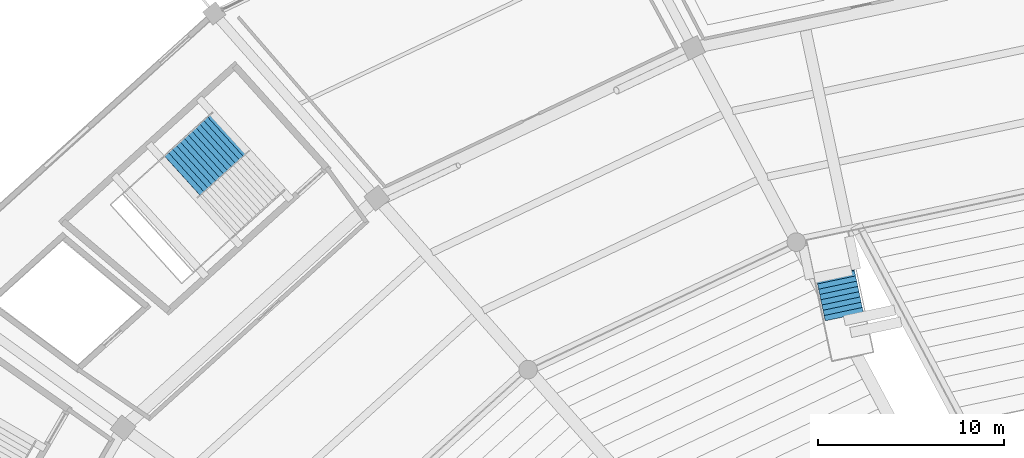
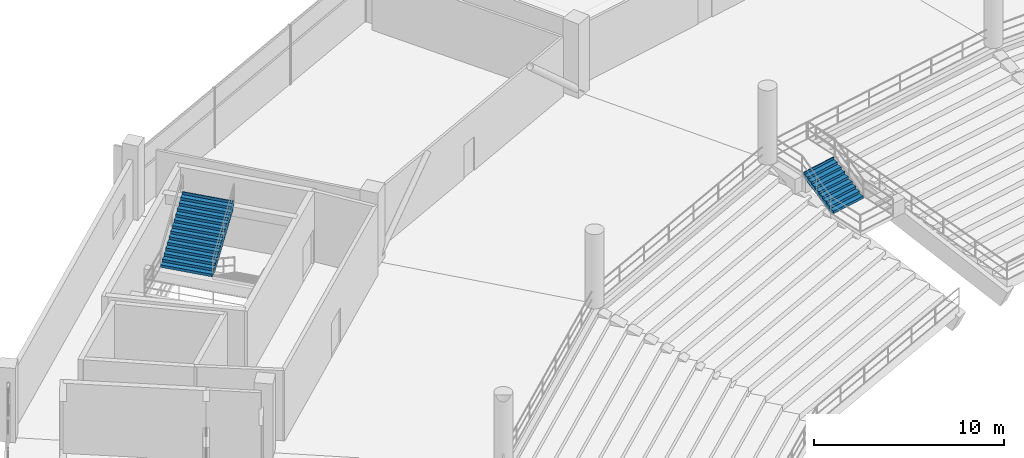
# One storey, part 135 of 156: 2 stair flights, 2 elements without a shape of their own.
"""IFC4 building model written with IfcOpenShell, lengths in metres."""

import ifcopenshell
import ifcopenshell.guid

model = None  # the IFC model being written
_history = None  # IfcOwnerHistory: only IFC2X3 demands one
_inside = {}  # id of a spatial element -> (the spatial element, [elements in it])
_under = {}  # id of a project, library or spatial element -> (it, [spatial elements below it])
_declared = {}  # id of a project -> (the project, [libraries it declares])
_typed = {}  # id of a type object -> (the type object, [elements of that type])
_made_of = {}  # id of a material, layer set ... -> (it, [elements and type objects made of it])


def new_model(schema):
    """Start an empty IFC model of exactly this schema.

    Asked for "IFC4X3", IfcOpenShell would pick the latest addendum, in which some entities
    have other attributes; the version numbers below select the first issue.
    IFC2X3 requires an IfcOwnerHistory on every rooted entity: one is made here for all.
    """
    global model, _history
    if schema == "IFC4X3":
        model = ifcopenshell.file(schema_version=(4, 3, 0, 0))
    else:
        model = ifcopenshell.file(schema=schema)
    _inside.clear()
    _under.clear()
    _declared.clear()
    _typed.clear()
    _made_of.clear()
    _history = None
    if model.schema == "IFC2X3":
        org = make("IfcOrganization", Name="unknown")
        user = make(
            "IfcPersonAndOrganization",
            ThePerson=make("IfcPerson", FamilyName="unknown"),
            TheOrganization=org,
        )
        app = make(
            "IfcApplication",
            ApplicationDeveloper=org,
            Version="unknown",
            ApplicationFullName="unknown",
            ApplicationIdentifier="unknown",
        )
        _history = make(
            "IfcOwnerHistory",
            OwningUser=user,
            OwningApplication=app,
            ChangeAction="ADDED",
            CreationDate=0,
        )
    return model


def make(cls, **values):
    """One entity of the class cls with the attributes given. An attribute that is None is left unset."""
    return model.create_entity(
        cls, **{name: value for name, value in values.items() if value is not None}
    )


def rooted(cls, **values):
    """An entity with a GlobalId (a new one), such as an element, a storey or a relation."""
    return make(cls, GlobalId=ifcopenshell.guid.new(), OwnerHistory=_history, **values)


def si_unit(unit_type, name, prefix=None):
    """IfcSIUnit, for example si_unit("LENGTHUNIT", "METRE", prefix="MILLI")."""
    return make("IfcSIUnit", UnitType=unit_type, Prefix=prefix, Name=name)


def assignment(units):
    """IfcUnitAssignment: the units of a project."""
    return None if units is None else make("IfcUnitAssignment", Units=units)


def point(xyz):
    """IfcCartesianPoint."""
    return None if xyz is None else make("IfcCartesianPoint", Coordinates=xyz)


def direction(xyz):
    """IfcDirection."""
    return None if xyz is None else make("IfcDirection", DirectionRatios=xyz)


def frame(location, z_axis=None, x_axis=None):
    """IfcAxis2Placement3D, a coordinate frame: its origin and axes. An axis left out is left unset."""
    return make(
        "IfcAxis2Placement3D",
        Location=point(location),
        Axis=direction(z_axis),
        RefDirection=direction(x_axis),
    )


def origin():
    """The frame at (0, 0, 0) with its axes left unset."""
    return frame((0.0, 0.0, 0.0))


def place(relative_to, where):
    """IfcLocalPlacement: puts the frame where relative to a parent placement (None: the world)."""
    return make(
        "IfcLocalPlacement", PlacementRelTo=relative_to, RelativePlacement=where
    )


def context(
    kind, dimensions, precision=None, world=None, true_north=None, identifier=None
):
    """IfcGeometricRepresentationContext, for example the 3D "Model" context."""
    return make(
        "IfcGeometricRepresentationContext",
        ContextIdentifier=identifier,
        ContextType=kind,
        CoordinateSpaceDimension=dimensions,
        Precision=precision,
        WorldCoordinateSystem=world,
        TrueNorth=true_north,
    )


def subcontext(parent, identifier, kind, view, scale=None):
    """IfcGeometricRepresentationSubContext, for example "Body" below "Model"."""
    return make(
        "IfcGeometricRepresentationSubContext",
        ContextIdentifier=identifier,
        ContextType=kind,
        ParentContext=parent,
        TargetScale=scale,
        TargetView=view,
    )


def project(units=None, contexts=None):
    """IfcProject with its units and contexts."""
    return rooted(
        "IfcProject",
        Name="project",
        RepresentationContexts=contexts,
        UnitsInContext=assignment(units),
    )


def spatial(cls, under=None, at=None, **own):
    """A site, building, storey or space (cls), placed at a placement, below another one or the project."""
    s = rooted(cls, ObjectPlacement=at, **own)
    if under is not None:
        _under.setdefault(under.id(), (under, []))[1].append(s)
    return s


def point_list(points):
    """IfcCartesianPointList2D or 3D."""
    cls = (
        "IfcCartesianPointList2D" if len(points[0]) == 2 else "IfcCartesianPointList3D"
    )
    return make(cls, CoordList=points)


def polygons(points, faces, closed=None, point_numbers=None):
    """IfcPolygonalFaceSet: a face is its outer loop, then its inner loops; points numbered from 1."""
    made = []
    for loops in faces:
        if len(loops) == 1:
            made.append(make("IfcIndexedPolygonalFace", CoordIndex=loops[0]))
        else:
            made.append(
                make(
                    "IfcIndexedPolygonalFaceWithVoids",
                    CoordIndex=loops[0],
                    InnerCoordIndices=loops[1:],
                )
            )
    return make(
        "IfcPolygonalFaceSet",
        Coordinates=point_list(points),
        Closed=closed,
        Faces=made,
        PnIndex=point_numbers,
    )


def shape(context_of_items, identifier, shape_type, items):
    """IfcShapeRepresentation: the items that make up one representation, for example the "Body"."""
    return make(
        "IfcShapeRepresentation",
        ContextOfItems=context_of_items,
        RepresentationIdentifier=identifier,
        RepresentationType=shape_type,
        Items=items,
    )


def material(Name=None, Category=None):
    """IfcMaterial."""
    return make("IfcMaterial", Name=Name, Category=Category)


def made_of(thing, what):
    """Note that an element or type object is made of a material, layer set ...; save() writes the relation."""
    if what is not None:
        _made_of.setdefault(what.id(), (what, []))[1].append(thing)
    return thing


def type_object(cls, material=None, **own):
    """A type object (cls), such as IfcWallType, which elements share."""
    return made_of(rooted(cls, **own), material)


def element(
    cls,
    number,
    at=None,
    inside=None,
    cuts=None,
    type_object=None,
    material=None,
    context=None,
    identifier="Body",
    shape_type=None,
    held_by="IfcProductDefinitionShape",
    body=None,
    shapes=None,
    **own,
):
    """One element of the class cls, such as IfcWall. Its Tag is "e" and its number.

    at: its placement. inside: the storey or other place that contains it. cuts: it is an
    opening in that element (IfcRelVoidsElement). A single representation is given by context,
    identifier, shape_type and body (its items); several are given by shapes. held_by: the class
    of the entity that holds the representations. save() writes the other relations.
    """
    e = rooted(cls, Tag="e%d" % number, ObjectPlacement=at, **own)
    if body is not None:
        shapes = [shape(context, identifier, shape_type, body)]
    if shapes is not None:
        e.Representation = make(held_by, Representations=shapes)
    if inside is not None:
        _inside.setdefault(inside.id(), (inside, []))[1].append(e)
    if cuts is not None:
        rooted(
            "IfcRelVoidsElement", RelatingBuildingElement=cuts, RelatedOpeningElement=e
        )
    if type_object is not None:
        _typed.setdefault(type_object.id(), (type_object, []))[1].append(e)
    return made_of(e, material)


def aggregate(whole, parts):
    """IfcRelAggregates: a whole, such as a stair, and the parts it consists of."""
    return rooted("IfcRelAggregates", RelatingObject=whole, RelatedObjects=parts)


def save(model, path):
    """Write the relations noted so far, then the file.

    IfcRelAggregates (storeys below a building ...), IfcRelContainedInSpatialStructure (elements
    in a storey), IfcRelDefinesByType, IfcRelAssociatesMaterial and IfcRelDeclares: one each for
    every whole, place, type object, material and project.
    """
    for whole, parts in _under.values():
        aggregate(whole, parts)
    for where, things in _inside.values():
        rooted(
            "IfcRelContainedInSpatialStructure",
            RelatedElements=things,
            RelatingStructure=where,
        )
    for kind, things in _typed.values():
        rooted("IfcRelDefinesByType", RelatedObjects=things, RelatingType=kind)
    for what, things in _made_of.values():
        rooted("IfcRelAssociatesMaterial", RelatedObjects=things, RelatingMaterial=what)
    for by, libraries in _declared.values():
        rooted("IfcRelDeclares", RelatingContext=by, RelatedDefinitions=libraries)
    model.write(path)


model = new_model("IFC4")

# Units and contexts
model_context = context("Model", 3, precision=1e-05, world=origin(), true_north=direction((0.0, 1.0)))
body_context = subcontext(model_context, "Body", "Model", "MODEL_VIEW")
ifc_project = project(units=[si_unit("LENGTHUNIT", "METRE"), si_unit("AREAUNIT", "SQUARE_METRE"), si_unit("VOLUMEUNIT", "CUBIC_METRE"), si_unit("PLANEANGLEUNIT", "RADIAN"), si_unit("MASSUNIT", "GRAM", prefix="KILO")], contexts=[model_context])

# Site, building, storey
site_placement = place(None, origin())
site = spatial("IfcSite", under=ifc_project, at=site_placement, CompositionType="ELEMENT")
building_placement = place(site_placement, origin())
building = spatial("IfcBuilding", under=site, at=building_placement, Name="Kazemori Nagisa Stadium", CompositionType="ELEMENT")
storey_placement = place(building_placement, frame((0.0, 0.0, 5.780029296875)))
storey = spatial("IfcBuildingStorey", under=building, at=storey_placement, Name="L01", CompositionType="ELEMENT", Elevation=5.780029296875)

# Stair, stair flight
ifc_material = material(Name="Concrete C36/45 (Fc36)", Category="concrete")
stair_type_1 = type_object("IfcStairType", Name="Stair_CORE_28", PredefinedType="TWO_STRAIGHT_RUN_STAIR", material=ifc_material)
stair_1_placement = place(storey_placement, origin())
stair_1 = element("IfcStair", 1, at=stair_1_placement, inside=storey, type_object=stair_type_1, Name="Exit stair ST02 L01", PredefinedType="TWO_STRAIGHT_RUN_STAIR")
stair_flight_type_1 = type_object("IfcStairFlightType", Name="Flight_CORE_14", PredefinedType="STRAIGHT", material=ifc_material)
stair_flight_1_placement = place(storey_placement, frame((58.468505859375, 164.128662109375, 2.3798828125), z_axis=(0.0, 0.0, 1.0), x_axis=(0.741324991793, 0.671146225903, 0.0)))
stair_flight_1 = element("IfcStairFlight", 2, at=stair_flight_1_placement, type_object=stair_flight_type_1, Name="Exit stair ST02 L01 flight 2", NumberOfRisers=14, NumberOfTreads=13, PredefinedType="STRAIGHT", RiserHeight=0.17, TreadLength=0.285, context=body_context, shape_type="Tessellation", body=[
    polygons([(0.0, -1.425048828125, 0.0), (0.0, -1.425048828125, 0.169921875), (0.284912109375, -1.425048828125, 0.169921875), (0.284912109375, -1.425048828125, 0.340087890625), (0.570068359375, -1.425048828125, 0.340087890625), (0.570068359375, -1.425048828125, 0.510009765625), (0.85498046875, -1.425048828125, 0.510009765625), (0.85498046875, -1.425048828125, 0.679931640625), (1.139892578125, -1.425048828125, 0.679931640625), (1.139892578125, -1.425048828125, 0.85009765625), (1.425048828125, -1.425048828125, 0.85009765625), (1.425048828125, -1.425048828125, 1.02001953125), (1.7099609375, -1.425048828125, 1.02001953125), (1.7099609375, -1.425048828125, 1.18994140625), (1.9951171875, -1.425048828125, 1.18994140625), (1.9951171875, -1.425048828125, 1.360107421875), (2.280029296875, -1.425048828125, 1.360107421875), (2.280029296875, -1.425048828125, 1.530029296875), (2.56494140625, -1.425048828125, 1.530029296875), (2.56494140625, -1.425048828125, 1.699951171875), (2.85009765625, -1.425048828125, 1.699951171875), (2.85009765625, -1.425048828125, 1.8701171875), (3.135009765625, -1.425048828125, 1.8701171875), (3.135009765625, -1.425048828125, 2.0400390625), (3.419921875, -1.425048828125, 2.0400390625), (3.419921875, -1.425048828125, 2.2099609375), (3.705078125, -1.425048828125, 2.2099609375), (3.705078125, -1.425048828125, 2.3798828125), (3.7548828125, -1.425048828125, 2.3798828125), (3.7548828125, -1.425048828125, 2.007080078125), (3.705078125, -1.425048828125, 1.977294921875), (3.419921875, -1.425048828125, 1.80712890625), (3.135009765625, -1.425048828125, 1.63720703125), (2.85009765625, -1.425048828125, 1.46728515625), (2.56494140625, -1.425048828125, 1.297119140625), (2.280029296875, -1.425048828125, 1.127197265625), (1.9951171875, -1.425048828125, 0.957275390625), (1.7099609375, -1.425048828125, 0.787109375), (1.425048828125, -1.425048828125, 0.6171875), (1.139892578125, -1.425048828125, 0.447265625), (0.85498046875, -1.425048828125, 0.277099609375), (0.570068359375, -1.425048828125, 0.107177734375), (0.284912109375, -1.425048828125, 0.0), (0.0, -0.08544921875, 0.0), (0.0, -0.08544921875, 0.169921875), (0.284912109375, -0.08544921875, 0.169921875), (0.284912109375, -0.08544921875, 0.340087890625), (0.570068359375, -0.08544921875, 0.340087890625), (0.570068359375, -0.08544921875, 0.510009765625), (0.85498046875, -0.08544921875, 0.510009765625), (0.85498046875, -0.08544921875, 0.679931640625), (1.139892578125, -0.08544921875, 0.679931640625), (1.139892578125, -0.08544921875, 0.85009765625), (1.425048828125, -0.08544921875, 0.85009765625), (1.425048828125, -0.08544921875, 1.02001953125), (1.7099609375, -0.08544921875, 1.02001953125), (1.7099609375, -0.08544921875, 1.18994140625), (1.9951171875, -0.08544921875, 1.18994140625), (1.9951171875, -0.08544921875, 1.360107421875), (2.280029296875, -0.08544921875, 1.360107421875), (2.280029296875, -0.08544921875, 1.530029296875), (2.56494140625, -0.08544921875, 1.530029296875), (2.56494140625, -0.08544921875, 1.699951171875), (2.85009765625, -0.08544921875, 1.699951171875), (2.85009765625, -0.08544921875, 1.8701171875), (3.135009765625, -0.08544921875, 1.8701171875), (3.135009765625, -0.08544921875, 2.0400390625), (3.419921875, -0.08544921875, 2.0400390625), (3.419921875, -0.08544921875, 2.2099609375), (3.705078125, -0.08544921875, 2.2099609375), (3.705078125, -0.08544921875, 2.3798828125), (3.7548828125, -0.08544921875, 2.3798828125), (3.7548828125, -0.08544921875, 2.007080078125), (3.705078125, -0.08544921875, 1.977294921875), (3.419921875, -0.08544921875, 1.80712890625), (3.135009765625, -0.08544921875, 1.63720703125), (2.85009765625, -0.08544921875, 1.46728515625), (2.56494140625, -0.08544921875, 1.297119140625), (2.280029296875, -0.08544921875, 1.127197265625), (1.9951171875, -0.08544921875, 0.957275390625), (1.7099609375, -0.08544921875, 0.787109375), (1.425048828125, -0.08544921875, 0.6171875), (1.139892578125, -0.08544921875, 0.447265625), (0.85498046875, -0.08544921875, 0.277099609375), (0.570068359375, -0.08544921875, 0.107177734375), (0.284912109375, -0.08544921875, 0.0), (0.0, 0.0, 0.0), (0.0, 0.0, 0.169921875), (0.284912109375, 0.0, 0.169921875), (0.284912109375, 0.0, 0.340087890625), (0.570068359375, 0.0, 0.340087890625), (0.570068359375, 0.0, 0.510009765625), (0.85498046875, 0.0, 0.510009765625), (0.85498046875, 0.0, 0.679931640625), (1.139892578125, 0.0, 0.679931640625), (1.139892578125, 0.0, 0.85009765625), (1.425048828125, 0.0, 0.85009765625), (1.425048828125, 0.0, 1.02001953125), (1.7099609375, 0.0, 1.02001953125), (1.7099609375, 0.0, 1.18994140625), (1.9951171875, 0.0, 1.18994140625), (1.9951171875, 0.0, 1.360107421875), (2.280029296875, 0.0, 1.360107421875), (2.280029296875, 0.0, 1.530029296875), (2.56494140625, 0.0, 1.530029296875), (2.56494140625, 0.0, 1.699951171875), (2.85009765625, 0.0, 1.699951171875), (2.85009765625, 0.0, 1.8701171875), (3.135009765625, 0.0, 1.8701171875), (3.135009765625, 0.0, 2.0400390625), (3.419921875, 0.0, 2.0400390625), (3.419921875, 0.0, 2.2099609375), (3.705078125, 0.0, 2.2099609375), (3.705078125, 0.0, 2.3798828125), (3.7548828125, 0.0, 2.3798828125), (3.7548828125, 0.0, 2.007080078125), (3.705078125, 0.0, 1.977294921875), (3.419921875, 0.0, 1.80712890625), (3.135009765625, 0.0, 1.63720703125), (2.85009765625, 0.0, 1.46728515625), (2.56494140625, 0.0, 1.297119140625), (2.280029296875, 0.0, 1.127197265625), (1.9951171875, 0.0, 0.957275390625), (1.7099609375, 0.0, 0.787109375), (1.425048828125, 0.0, 0.6171875), (1.139892578125, 0.0, 0.447265625), (0.85498046875, 0.0, 0.277099609375), (0.570068359375, 0.0, 0.107177734375), (0.284912109375, 0.0, 0.0), (0.0, 0.08544921875, 0.0), (0.0, 0.08544921875, 0.169921875), (0.284912109375, 0.08544921875, 0.169921875), (0.284912109375, 0.08544921875, 0.340087890625), (0.570068359375, 0.08544921875, 0.340087890625), (0.570068359375, 0.08544921875, 0.510009765625), (0.85498046875, 0.08544921875, 0.510009765625), (0.85498046875, 0.08544921875, 0.679931640625), (1.139892578125, 0.08544921875, 0.679931640625), (1.139892578125, 0.08544921875, 0.85009765625), (1.425048828125, 0.08544921875, 0.85009765625), (1.425048828125, 0.08544921875, 1.02001953125), (1.7099609375, 0.08544921875, 1.02001953125), (1.7099609375, 0.08544921875, 1.18994140625), (1.9951171875, 0.08544921875, 1.18994140625), (1.9951171875, 0.08544921875, 1.360107421875), (2.280029296875, 0.08544921875, 1.360107421875), (2.280029296875, 0.08544921875, 1.530029296875), (2.56494140625, 0.08544921875, 1.530029296875), (2.56494140625, 0.08544921875, 1.699951171875), (2.85009765625, 0.08544921875, 1.699951171875), (2.85009765625, 0.08544921875, 1.8701171875), (3.135009765625, 0.08544921875, 1.8701171875), (3.135009765625, 0.08544921875, 2.0400390625), (3.419921875, 0.08544921875, 2.0400390625), (3.419921875, 0.08544921875, 2.2099609375), (3.705078125, 0.08544921875, 2.2099609375), (3.705078125, 0.08544921875, 2.3798828125), (3.7548828125, 0.08544921875, 2.3798828125), (3.7548828125, 0.08544921875, 2.007080078125), (3.705078125, 0.08544921875, 1.977294921875), (3.419921875, 0.08544921875, 1.80712890625), (3.135009765625, 0.08544921875, 1.63720703125), (2.85009765625, 0.08544921875, 1.46728515625), (2.56494140625, 0.08544921875, 1.297119140625), (2.280029296875, 0.08544921875, 1.127197265625), (1.9951171875, 0.08544921875, 0.957275390625), (1.7099609375, 0.08544921875, 0.787109375), (1.425048828125, 0.08544921875, 0.6171875), (1.139892578125, 0.08544921875, 0.447265625), (0.85498046875, 0.08544921875, 0.277099609375), (0.570068359375, 0.08544921875, 0.107177734375), (0.284912109375, 0.08544921875, 0.0), (0.0, 1.425048828125, 0.0), (0.0, 1.425048828125, 0.169921875), (0.284912109375, 1.425048828125, 0.169921875), (0.284912109375, 1.425048828125, 0.340087890625), (0.570068359375, 1.425048828125, 0.340087890625), (0.570068359375, 1.425048828125, 0.510009765625), (0.85498046875, 1.425048828125, 0.510009765625), (0.85498046875, 1.425048828125, 0.679931640625), (1.139892578125, 1.425048828125, 0.679931640625), (1.139892578125, 1.425048828125, 0.85009765625), (1.425048828125, 1.425048828125, 0.85009765625), (1.425048828125, 1.425048828125, 1.02001953125), (1.7099609375, 1.425048828125, 1.02001953125), (1.7099609375, 1.425048828125, 1.18994140625), (1.9951171875, 1.425048828125, 1.18994140625), (1.9951171875, 1.425048828125, 1.360107421875), (2.280029296875, 1.425048828125, 1.360107421875), (2.280029296875, 1.425048828125, 1.530029296875), (2.56494140625, 1.425048828125, 1.530029296875), (2.56494140625, 1.425048828125, 1.699951171875), (2.85009765625, 1.425048828125, 1.699951171875), (2.85009765625, 1.425048828125, 1.8701171875), (3.135009765625, 1.425048828125, 1.8701171875), (3.135009765625, 1.425048828125, 2.0400390625), (3.419921875, 1.425048828125, 2.0400390625), (3.419921875, 1.425048828125, 2.2099609375), (3.705078125, 1.425048828125, 2.2099609375), (3.705078125, 1.425048828125, 2.3798828125), (3.7548828125, 1.425048828125, 2.3798828125), (3.7548828125, 1.425048828125, 2.007080078125), (3.705078125, 1.425048828125, 1.977294921875), (3.419921875, 1.425048828125, 1.80712890625), (3.135009765625, 1.425048828125, 1.63720703125), (2.85009765625, 1.425048828125, 1.46728515625), (2.56494140625, 1.425048828125, 1.297119140625), (2.280029296875, 1.425048828125, 1.127197265625), (1.9951171875, 1.425048828125, 0.957275390625), (1.7099609375, 1.425048828125, 0.787109375), (1.425048828125, 1.425048828125, 0.6171875), (1.139892578125, 1.425048828125, 0.447265625), (0.85498046875, 1.425048828125, 0.277099609375), (0.570068359375, 1.425048828125, 0.107177734375), (0.284912109375, 1.425048828125, 0.0)], [[[1, 2, 45]], [[1, 45, 44]], [[2, 3, 46]], [[2, 46, 45]], [[3, 4, 47]], [[3, 47, 46]], [[4, 5, 48]], [[4, 48, 47]], [[5, 6, 49]], [[5, 49, 48]], [[6, 7, 50]], [[6, 50, 49]], [[7, 8, 51]], [[7, 51, 50]], [[8, 9, 52]], [[8, 52, 51]], [[9, 10, 53]], [[9, 53, 52]], [[10, 11, 54]], [[10, 54, 53]], [[11, 12, 55]], [[11, 55, 54]], [[12, 13, 56]], [[12, 56, 55]], [[13, 14, 57]], [[13, 57, 56]], [[14, 15, 58]], [[14, 58, 57]], [[15, 16, 59]], [[15, 59, 58]], [[16, 17, 60]], [[16, 60, 59]], [[17, 18, 61]], [[17, 61, 60]], [[18, 19, 62]], [[18, 62, 61]], [[19, 20, 63]], [[19, 63, 62]], [[20, 21, 64]], [[20, 64, 63]], [[21, 22, 65]], [[21, 65, 64]], [[22, 23, 66]], [[22, 66, 65]], [[23, 24, 67]], [[23, 67, 66]], [[24, 25, 68]], [[24, 68, 67]], [[25, 26, 69]], [[25, 69, 68]], [[26, 27, 70]], [[26, 70, 69]], [[27, 28, 71]], [[27, 71, 70]], [[28, 29, 72]], [[28, 72, 71]], [[29, 30, 73]], [[29, 73, 72]], [[30, 31, 74]], [[30, 74, 73]], [[31, 32, 75]], [[31, 75, 74]], [[32, 33, 76]], [[32, 76, 75]], [[33, 34, 77]], [[33, 77, 76]], [[34, 35, 78]], [[34, 78, 77]], [[35, 36, 79]], [[35, 79, 78]], [[36, 37, 80]], [[36, 80, 79]], [[37, 38, 81]], [[37, 81, 80]], [[38, 39, 82]], [[38, 82, 81]], [[39, 40, 83]], [[39, 83, 82]], [[40, 41, 84]], [[40, 84, 83]], [[41, 42, 85]], [[41, 85, 84]], [[42, 43, 86]], [[42, 86, 85]], [[43, 1, 44]], [[43, 44, 86]], [[44, 45, 88]], [[44, 88, 87]], [[45, 46, 89]], [[45, 89, 88]], [[46, 47, 90]], [[46, 90, 89]], [[47, 48, 91]], [[47, 91, 90]], [[48, 49, 92]], [[48, 92, 91]], [[49, 50, 93]], [[49, 93, 92]], [[50, 51, 94]], [[50, 94, 93]], [[51, 52, 95]], [[51, 95, 94]], [[52, 53, 96]], [[52, 96, 95]], [[53, 54, 97]], [[53, 97, 96]], [[54, 55, 98]], [[54, 98, 97]], [[55, 56, 99]], [[55, 99, 98]], [[56, 57, 100]], [[56, 100, 99]], [[57, 58, 101]], [[57, 101, 100]], [[58, 59, 102]], [[58, 102, 101]], [[59, 60, 103]], [[59, 103, 102]], [[60, 61, 104]], [[60, 104, 103]], [[61, 62, 105]], [[61, 105, 104]], [[62, 63, 106]], [[62, 106, 105]], [[63, 64, 107]], [[63, 107, 106]], [[64, 65, 108]], [[64, 108, 107]], [[65, 66, 109]], [[65, 109, 108]], [[66, 67, 110]], [[66, 110, 109]], [[67, 68, 111]], [[67, 111, 110]], [[68, 69, 112]], [[68, 112, 111]], [[69, 70, 113]], [[69, 113, 112]], [[70, 71, 114]], [[70, 114, 113]], [[71, 72, 115]], [[71, 115, 114]], [[72, 73, 116]], [[72, 116, 115]], [[73, 74, 117]], [[73, 117, 116]], [[74, 75, 118]], [[74, 118, 117]], [[75, 76, 119]], [[75, 119, 118]], [[76, 77, 120]], [[76, 120, 119]], [[77, 78, 121]], [[77, 121, 120]], [[78, 79, 122]], [[78, 122, 121]], [[79, 80, 123]], [[79, 123, 122]], [[80, 81, 124]], [[80, 124, 123]], [[81, 82, 125]], [[81, 125, 124]], [[82, 83, 126]], [[82, 126, 125]], [[83, 84, 127]], [[83, 127, 126]], [[84, 85, 128]], [[84, 128, 127]], [[85, 86, 129]], [[85, 129, 128]], [[86, 44, 87]], [[86, 87, 129]], [[87, 88, 131]], [[87, 131, 130]], [[88, 89, 132]], [[88, 132, 131]], [[89, 90, 133]], [[89, 133, 132]], [[90, 91, 134]], [[90, 134, 133]], [[91, 92, 135]], [[91, 135, 134]], [[92, 93, 136]], [[92, 136, 135]], [[93, 94, 137]], [[93, 137, 136]], [[94, 95, 138]], [[94, 138, 137]], [[95, 96, 139]], [[95, 139, 138]], [[96, 97, 140]], [[96, 140, 139]], [[97, 98, 141]], [[97, 141, 140]], [[98, 99, 142]], [[98, 142, 141]], [[99, 100, 143]], [[99, 143, 142]], [[100, 101, 144]], [[100, 144, 143]], [[101, 102, 145]], [[101, 145, 144]], [[102, 103, 146]], [[102, 146, 145]], [[103, 104, 147]], [[103, 147, 146]], [[104, 105, 148]], [[104, 148, 147]], [[105, 106, 149]], [[105, 149, 148]], [[106, 107, 150]], [[106, 150, 149]], [[107, 108, 151]], [[107, 151, 150]], [[108, 109, 152]], [[108, 152, 151]], [[109, 110, 153]], [[109, 153, 152]], [[110, 111, 154]], [[110, 154, 153]], [[111, 112, 155]], [[111, 155, 154]], [[112, 113, 156]], [[112, 156, 155]], [[113, 114, 157]], [[113, 157, 156]], [[114, 115, 158]], [[114, 158, 157]], [[115, 116, 159]], [[115, 159, 158]], [[116, 117, 160]], [[116, 160, 159]], [[117, 118, 161]], [[117, 161, 160]], [[118, 119, 162]], [[118, 162, 161]], [[119, 120, 163]], [[119, 163, 162]], [[120, 121, 164]], [[120, 164, 163]], [[121, 122, 165]], [[121, 165, 164]], [[122, 123, 166]], [[122, 166, 165]], [[123, 124, 167]], [[123, 167, 166]], [[124, 125, 168]], [[124, 168, 167]], [[125, 126, 169]], [[125, 169, 168]], [[126, 127, 170]], [[126, 170, 169]], [[127, 128, 171]], [[127, 171, 170]], [[128, 129, 172]], [[128, 172, 171]], [[129, 87, 130]], [[129, 130, 172]], [[130, 131, 174]], [[130, 174, 173]], [[131, 132, 175]], [[131, 175, 174]], [[132, 133, 176]], [[132, 176, 175]], [[133, 134, 177]], [[133, 177, 176]], [[134, 135, 178]], [[134, 178, 177]], [[135, 136, 179]], [[135, 179, 178]], [[136, 137, 180]], [[136, 180, 179]], [[137, 138, 181]], [[137, 181, 180]], [[138, 139, 182]], [[138, 182, 181]], [[139, 140, 183]], [[139, 183, 182]], [[140, 141, 184]], [[140, 184, 183]], [[141, 142, 185]], [[141, 185, 184]], [[142, 143, 186]], [[142, 186, 185]], [[143, 144, 187]], [[143, 187, 186]], [[144, 145, 188]], [[144, 188, 187]], [[145, 146, 189]], [[145, 189, 188]], [[146, 147, 190]], [[146, 190, 189]], [[147, 148, 191]], [[147, 191, 190]], [[148, 149, 192]], [[148, 192, 191]], [[149, 150, 193]], [[149, 193, 192]], [[150, 151, 194]], [[150, 194, 193]], [[151, 152, 195]], [[151, 195, 194]], [[152, 153, 196]], [[152, 196, 195]], [[153, 154, 197]], [[153, 197, 196]], [[154, 155, 198]], [[154, 198, 197]], [[155, 156, 199]], [[155, 199, 198]], [[156, 157, 200]], [[156, 200, 199]], [[157, 158, 201]], [[157, 201, 200]], [[158, 159, 202]], [[158, 202, 201]], [[159, 160, 203]], [[159, 203, 202]], [[160, 161, 204]], [[160, 204, 203]], [[161, 162, 205]], [[161, 205, 204]], [[162, 163, 206]], [[162, 206, 205]], [[163, 164, 207]], [[163, 207, 206]], [[164, 165, 208]], [[164, 208, 207]], [[165, 166, 209]], [[165, 209, 208]], [[166, 167, 210]], [[166, 210, 209]], [[167, 168, 211]], [[167, 211, 210]], [[168, 169, 212]], [[168, 212, 211]], [[169, 170, 213]], [[169, 213, 212]], [[170, 171, 214]], [[170, 214, 213]], [[171, 172, 215]], [[171, 215, 214]], [[172, 130, 173]], [[172, 173, 215]], [[3, 2, 1]], [[173, 174, 175]], [[43, 3, 1]], [[173, 175, 215]], [[42, 3, 43]], [[215, 175, 214]], [[5, 3, 42]], [[214, 175, 177]], [[5, 4, 3]], [[175, 176, 177]], [[41, 5, 42]], [[214, 177, 213]], [[7, 5, 41]], [[213, 177, 179]], [[7, 6, 5]], [[177, 178, 179]], [[40, 7, 41]], [[213, 179, 212]], [[9, 7, 40]], [[212, 179, 181]], [[9, 8, 7]], [[179, 180, 181]], [[39, 9, 40]], [[212, 181, 211]], [[11, 9, 39]], [[211, 181, 183]], [[11, 10, 9]], [[181, 182, 183]], [[38, 11, 39]], [[211, 183, 210]], [[13, 11, 38]], [[210, 183, 185]], [[13, 12, 11]], [[183, 184, 185]], [[37, 13, 38]], [[210, 185, 209]], [[15, 13, 37]], [[209, 185, 187]], [[15, 14, 13]], [[185, 186, 187]], [[36, 15, 37]], [[209, 187, 208]], [[17, 15, 36]], [[208, 187, 189]], [[17, 16, 15]], [[187, 188, 189]], [[35, 17, 36]], [[208, 189, 207]], [[19, 17, 35]], [[207, 189, 191]], [[19, 18, 17]], [[189, 190, 191]], [[34, 19, 35]], [[207, 191, 206]], [[21, 19, 34]], [[206, 191, 193]], [[21, 20, 19]], [[191, 192, 193]], [[33, 21, 34]], [[206, 193, 205]], [[23, 21, 33]], [[205, 193, 195]], [[23, 22, 21]], [[193, 194, 195]], [[32, 23, 33]], [[205, 195, 204]], [[25, 23, 32]], [[204, 195, 197]], [[25, 24, 23]], [[195, 196, 197]], [[31, 25, 32]], [[204, 197, 203]], [[27, 25, 31]], [[203, 197, 199]], [[27, 26, 25]], [[197, 198, 199]], [[30, 27, 31]], [[203, 199, 202]], [[29, 27, 30]], [[202, 199, 201]], [[29, 28, 27]], [[199, 200, 201]]], closed=True),
])
aggregate(stair_1, [stair_flight_1])

stair_type_2 = type_object("IfcStairType", Name="Stair_VOM_VL", PredefinedType="STRAIGHT_RUN_STAIR", material=ifc_material)
stair_2_placement = place(storey_placement, origin())
stair_2 = element("IfcStair", 3, at=stair_2_placement, inside=storey, type_object=stair_type_2, Name="Vomitory stair lower VL04", PredefinedType="STRAIGHT_RUN_STAIR")
stair_flight_type_2 = type_object("IfcStairFlightType", Name="Flight_VOM_VL", PredefinedType="STRAIGHT", material=ifc_material)
stair_flight_2_placement = place(storey_placement, frame((94.3408203125, 156.717529296875, -1.43994140625), z_axis=(0.0, 0.0, 1.0), x_axis=(-0.20689079353, 0.978364042447, 0.0)))
stair_flight_2 = element("IfcStairFlight", 4, at=stair_flight_2_placement, type_object=stair_flight_type_2, Name="Vomitory stair lower VL04 flight", NumberOfRisers=9, NumberOfTreads=8, PredefinedType="STRAIGHT", RiserHeight=0.16, TreadLength=0.29, context=body_context, shape_type="Tessellation", body=[
    polygons([(0.0, -1.050048828125, 0.0), (0.0, -1.050048828125, 0.159912109375), (0.2900390625, -1.050048828125, 0.159912109375), (0.2900390625, -1.050048828125, 0.320068359375), (0.580078125, -1.050048828125, 0.320068359375), (0.580078125, -1.050048828125, 0.47998046875), (0.8701171875, -1.050048828125, 0.47998046875), (0.8701171875, -1.050048828125, 0.639892578125), (1.159912109375, -1.050048828125, 0.639892578125), (1.159912109375, -1.050048828125, 0.800048828125), (1.449951171875, -1.050048828125, 0.800048828125), (1.449951171875, -1.050048828125, 0.9599609375), (1.739990234375, -1.050048828125, 0.9599609375), (1.739990234375, -1.050048828125, 1.1201171875), (2.030029296875, -1.050048828125, 1.1201171875), (2.030029296875, -1.050048828125, 1.280029296875), (2.320068359375, -1.050048828125, 1.280029296875), (2.320068359375, -1.050048828125, 1.43994140625), (2.3701171875, -1.050048828125, 1.43994140625), (2.3701171875, -1.050048828125, 1.10205078125), (2.320068359375, -1.050048828125, 1.074462890625), (2.030029296875, -1.050048828125, 0.91455078125), (1.739990234375, -1.050048828125, 0.75439453125), (1.449951171875, -1.050048828125, 0.594482421875), (1.159912109375, -1.050048828125, 0.4345703125), (0.8701171875, -1.050048828125, 0.2744140625), (0.580078125, -1.050048828125, 0.114501953125), (0.2900390625, -1.050048828125, 0.0), (0.0, -0.06298828125, 0.0), (0.0, -0.06298828125, 0.159912109375), (0.2900390625, -0.06298828125, 0.159912109375), (0.2900390625, -0.06298828125, 0.320068359375), (0.580078125, -0.06298828125, 0.320068359375), (0.580078125, -0.06298828125, 0.47998046875), (0.8701171875, -0.06298828125, 0.47998046875), (0.8701171875, -0.06298828125, 0.639892578125), (1.159912109375, -0.06298828125, 0.639892578125), (1.159912109375, -0.06298828125, 0.800048828125), (1.449951171875, -0.06298828125, 0.800048828125), (1.449951171875, -0.06298828125, 0.9599609375), (1.739990234375, -0.06298828125, 0.9599609375), (1.739990234375, -0.06298828125, 1.1201171875), (2.030029296875, -0.06298828125, 1.1201171875), (2.030029296875, -0.06298828125, 1.280029296875), (2.320068359375, -0.06298828125, 1.280029296875), (2.320068359375, -0.06298828125, 1.43994140625), (2.3701171875, -0.06298828125, 1.43994140625), (2.3701171875, -0.06298828125, 1.10205078125), (2.320068359375, -0.06298828125, 1.074462890625), (2.030029296875, -0.06298828125, 0.91455078125), (1.739990234375, -0.06298828125, 0.75439453125), (1.449951171875, -0.06298828125, 0.594482421875), (1.159912109375, -0.06298828125, 0.4345703125), (0.8701171875, -0.06298828125, 0.2744140625), (0.580078125, -0.06298828125, 0.114501953125), (0.2900390625, -0.06298828125, 0.0), (0.0, 0.0, 0.0), (0.0, 0.0, 0.159912109375), (0.2900390625, 0.0, 0.159912109375), (0.2900390625, 0.0, 0.320068359375), (0.580078125, 0.0, 0.320068359375), (0.580078125, 0.0, 0.47998046875), (0.8701171875, 0.0, 0.47998046875), (0.8701171875, 0.0, 0.639892578125), (1.159912109375, 0.0, 0.639892578125), (1.159912109375, 0.0, 0.800048828125), (1.449951171875, 0.0, 0.800048828125), (1.449951171875, 0.0, 0.9599609375), (1.739990234375, 0.0, 0.9599609375), (1.739990234375, 0.0, 1.1201171875), (2.030029296875, 0.0, 1.1201171875), (2.030029296875, 0.0, 1.280029296875), (2.320068359375, 0.0, 1.280029296875), (2.320068359375, 0.0, 1.43994140625), (2.3701171875, 0.0, 1.43994140625), (2.3701171875, 0.0, 1.10205078125), (2.320068359375, 0.0, 1.074462890625), (2.030029296875, 0.0, 0.91455078125), (1.739990234375, 0.0, 0.75439453125), (1.449951171875, 0.0, 0.594482421875), (1.159912109375, 0.0, 0.4345703125), (0.8701171875, 0.0, 0.2744140625), (0.580078125, 0.0, 0.114501953125), (0.2900390625, 0.0, 0.0), (0.0, 0.06298828125, 0.0), (0.0, 0.06298828125, 0.159912109375), (0.2900390625, 0.06298828125, 0.159912109375), (0.2900390625, 0.06298828125, 0.320068359375), (0.580078125, 0.06298828125, 0.320068359375), (0.580078125, 0.06298828125, 0.47998046875), (0.8701171875, 0.06298828125, 0.47998046875), (0.8701171875, 0.06298828125, 0.639892578125), (1.159912109375, 0.06298828125, 0.639892578125), (1.159912109375, 0.06298828125, 0.800048828125), (1.449951171875, 0.06298828125, 0.800048828125), (1.449951171875, 0.06298828125, 0.9599609375), (1.739990234375, 0.06298828125, 0.9599609375), (1.739990234375, 0.06298828125, 1.1201171875), (2.030029296875, 0.06298828125, 1.1201171875), (2.030029296875, 0.06298828125, 1.280029296875), (2.320068359375, 0.06298828125, 1.280029296875), (2.320068359375, 0.06298828125, 1.43994140625), (2.3701171875, 0.06298828125, 1.43994140625), (2.3701171875, 0.06298828125, 1.10205078125), (2.320068359375, 0.06298828125, 1.074462890625), (2.030029296875, 0.06298828125, 0.91455078125), (1.739990234375, 0.06298828125, 0.75439453125), (1.449951171875, 0.06298828125, 0.594482421875), (1.159912109375, 0.06298828125, 0.4345703125), (0.8701171875, 0.06298828125, 0.2744140625), (0.580078125, 0.06298828125, 0.114501953125), (0.2900390625, 0.06298828125, 0.0), (0.0, 1.050048828125, 0.0), (0.0, 1.050048828125, 0.159912109375), (0.2900390625, 1.050048828125, 0.159912109375), (0.2900390625, 1.050048828125, 0.320068359375), (0.580078125, 1.050048828125, 0.320068359375), (0.580078125, 1.050048828125, 0.47998046875), (0.8701171875, 1.050048828125, 0.47998046875), (0.8701171875, 1.050048828125, 0.639892578125), (1.159912109375, 1.050048828125, 0.639892578125), (1.159912109375, 1.050048828125, 0.800048828125), (1.449951171875, 1.050048828125, 0.800048828125), (1.449951171875, 1.050048828125, 0.9599609375), (1.739990234375, 1.050048828125, 0.9599609375), (1.739990234375, 1.050048828125, 1.1201171875), (2.030029296875, 1.050048828125, 1.1201171875), (2.030029296875, 1.050048828125, 1.280029296875), (2.320068359375, 1.050048828125, 1.280029296875), (2.320068359375, 1.050048828125, 1.43994140625), (2.3701171875, 1.050048828125, 1.43994140625), (2.3701171875, 1.050048828125, 1.10205078125), (2.320068359375, 1.050048828125, 1.074462890625), (2.030029296875, 1.050048828125, 0.91455078125), (1.739990234375, 1.050048828125, 0.75439453125), (1.449951171875, 1.050048828125, 0.594482421875), (1.159912109375, 1.050048828125, 0.4345703125), (0.8701171875, 1.050048828125, 0.2744140625), (0.580078125, 1.050048828125, 0.114501953125), (0.2900390625, 1.050048828125, 0.0)], [[[1, 2, 30]], [[1, 30, 29]], [[2, 3, 31]], [[2, 31, 30]], [[3, 4, 32]], [[3, 32, 31]], [[4, 5, 33]], [[4, 33, 32]], [[5, 6, 34]], [[5, 34, 33]], [[6, 7, 35]], [[6, 35, 34]], [[7, 8, 36]], [[7, 36, 35]], [[8, 9, 37]], [[8, 37, 36]], [[9, 10, 38]], [[9, 38, 37]], [[10, 11, 39]], [[10, 39, 38]], [[11, 12, 40]], [[11, 40, 39]], [[12, 13, 41]], [[12, 41, 40]], [[13, 14, 42]], [[13, 42, 41]], [[14, 15, 43]], [[14, 43, 42]], [[15, 16, 44]], [[15, 44, 43]], [[16, 17, 45]], [[16, 45, 44]], [[17, 18, 46]], [[17, 46, 45]], [[18, 19, 47]], [[18, 47, 46]], [[19, 20, 48]], [[19, 48, 47]], [[20, 21, 49]], [[20, 49, 48]], [[21, 22, 50]], [[21, 50, 49]], [[22, 23, 51]], [[22, 51, 50]], [[23, 24, 52]], [[23, 52, 51]], [[24, 25, 53]], [[24, 53, 52]], [[25, 26, 54]], [[25, 54, 53]], [[26, 27, 55]], [[26, 55, 54]], [[27, 28, 56]], [[27, 56, 55]], [[28, 1, 29]], [[28, 29, 56]], [[29, 30, 58]], [[29, 58, 57]], [[30, 31, 59]], [[30, 59, 58]], [[31, 32, 60]], [[31, 60, 59]], [[32, 33, 61]], [[32, 61, 60]], [[33, 34, 62]], [[33, 62, 61]], [[34, 35, 63]], [[34, 63, 62]], [[35, 36, 64]], [[35, 64, 63]], [[36, 37, 65]], [[36, 65, 64]], [[37, 38, 66]], [[37, 66, 65]], [[38, 39, 67]], [[38, 67, 66]], [[39, 40, 68]], [[39, 68, 67]], [[40, 41, 69]], [[40, 69, 68]], [[41, 42, 70]], [[41, 70, 69]], [[42, 43, 71]], [[42, 71, 70]], [[43, 44, 72]], [[43, 72, 71]], [[44, 45, 73]], [[44, 73, 72]], [[45, 46, 74]], [[45, 74, 73]], [[46, 47, 75]], [[46, 75, 74]], [[47, 48, 76]], [[47, 76, 75]], [[48, 49, 77]], [[48, 77, 76]], [[49, 50, 78]], [[49, 78, 77]], [[50, 51, 79]], [[50, 79, 78]], [[51, 52, 80]], [[51, 80, 79]], [[52, 53, 81]], [[52, 81, 80]], [[53, 54, 82]], [[53, 82, 81]], [[54, 55, 83]], [[54, 83, 82]], [[55, 56, 84]], [[55, 84, 83]], [[56, 29, 57]], [[56, 57, 84]], [[57, 58, 86]], [[57, 86, 85]], [[58, 59, 87]], [[58, 87, 86]], [[59, 60, 88]], [[59, 88, 87]], [[60, 61, 89]], [[60, 89, 88]], [[61, 62, 90]], [[61, 90, 89]], [[62, 63, 91]], [[62, 91, 90]], [[63, 64, 92]], [[63, 92, 91]], [[64, 65, 93]], [[64, 93, 92]], [[65, 66, 94]], [[65, 94, 93]], [[66, 67, 95]], [[66, 95, 94]], [[67, 68, 96]], [[67, 96, 95]], [[68, 69, 97]], [[68, 97, 96]], [[69, 70, 98]], [[69, 98, 97]], [[70, 71, 99]], [[70, 99, 98]], [[71, 72, 100]], [[71, 100, 99]], [[72, 73, 101]], [[72, 101, 100]], [[73, 74, 102]], [[73, 102, 101]], [[74, 75, 103]], [[74, 103, 102]], [[75, 76, 104]], [[75, 104, 103]], [[76, 77, 105]], [[76, 105, 104]], [[77, 78, 106]], [[77, 106, 105]], [[78, 79, 107]], [[78, 107, 106]], [[79, 80, 108]], [[79, 108, 107]], [[80, 81, 109]], [[80, 109, 108]], [[81, 82, 110]], [[81, 110, 109]], [[82, 83, 111]], [[82, 111, 110]], [[83, 84, 112]], [[83, 112, 111]], [[84, 57, 85]], [[84, 85, 112]], [[85, 86, 114]], [[85, 114, 113]], [[86, 87, 115]], [[86, 115, 114]], [[87, 88, 116]], [[87, 116, 115]], [[88, 89, 117]], [[88, 117, 116]], [[89, 90, 118]], [[89, 118, 117]], [[90, 91, 119]], [[90, 119, 118]], [[91, 92, 120]], [[91, 120, 119]], [[92, 93, 121]], [[92, 121, 120]], [[93, 94, 122]], [[93, 122, 121]], [[94, 95, 123]], [[94, 123, 122]], [[95, 96, 124]], [[95, 124, 123]], [[96, 97, 125]], [[96, 125, 124]], [[97, 98, 126]], [[97, 126, 125]], [[98, 99, 127]], [[98, 127, 126]], [[99, 100, 128]], [[99, 128, 127]], [[100, 101, 129]], [[100, 129, 128]], [[101, 102, 130]], [[101, 130, 129]], [[102, 103, 131]], [[102, 131, 130]], [[103, 104, 132]], [[103, 132, 131]], [[104, 105, 133]], [[104, 133, 132]], [[105, 106, 134]], [[105, 134, 133]], [[106, 107, 135]], [[106, 135, 134]], [[107, 108, 136]], [[107, 136, 135]], [[108, 109, 137]], [[108, 137, 136]], [[109, 110, 138]], [[109, 138, 137]], [[110, 111, 139]], [[110, 139, 138]], [[111, 112, 140]], [[111, 140, 139]], [[112, 85, 113]], [[112, 113, 140]], [[3, 2, 1]], [[113, 114, 115]], [[28, 3, 1]], [[113, 115, 140]], [[27, 3, 28]], [[140, 115, 139]], [[5, 3, 27]], [[139, 115, 117]], [[5, 4, 3]], [[115, 116, 117]], [[26, 5, 27]], [[139, 117, 138]], [[7, 5, 26]], [[138, 117, 119]], [[7, 6, 5]], [[117, 118, 119]], [[25, 7, 26]], [[138, 119, 137]], [[9, 7, 25]], [[137, 119, 121]], [[9, 8, 7]], [[119, 120, 121]], [[24, 9, 25]], [[137, 121, 136]], [[11, 9, 24]], [[136, 121, 123]], [[11, 10, 9]], [[121, 122, 123]], [[23, 11, 24]], [[136, 123, 135]], [[13, 11, 23]], [[135, 123, 125]], [[13, 12, 11]], [[123, 124, 125]], [[22, 13, 23]], [[135, 125, 134]], [[15, 13, 22]], [[134, 125, 127]], [[15, 14, 13]], [[125, 126, 127]], [[21, 15, 22]], [[134, 127, 133]], [[17, 15, 21]], [[133, 127, 129]], [[17, 16, 15]], [[127, 128, 129]], [[20, 17, 21]], [[133, 129, 132]], [[19, 17, 20]], [[132, 129, 131]], [[19, 18, 17]], [[129, 130, 131]]], closed=True),
])
aggregate(stair_2, [stair_flight_2])

save(model, "model.ifc")
